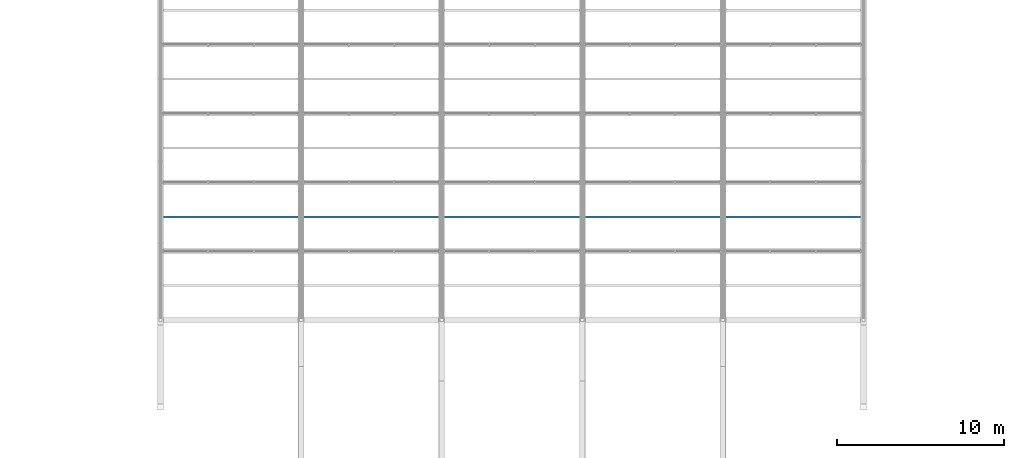
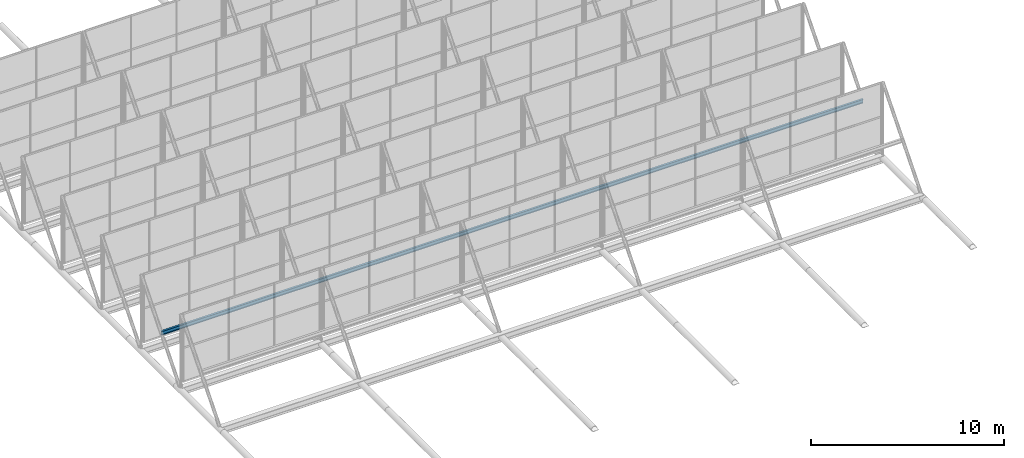
# One storey, part 10 of 77: 1 beam.
"""IFC4 building model written with IfcOpenShell, lengths in metres."""

from ifc_helpers import new_model, si_unit, derived_unit, direction, frame, origin, origin_2d, place, context, subcontext, project, spatial, i_section, extrude, material, material_profile, profile_set, type_object, element, save


model = new_model("IFC4")

# Units and contexts
model_context = context("Model", 3, precision=1e-05, world=origin(), true_north=direction((0.0, 1.0)))
body_context = subcontext(model_context, "Body", "Model", "MODEL_VIEW")
ifc_project = project(units=[si_unit("LENGTHUNIT", "METRE"), si_unit("AREAUNIT", "SQUARE_METRE"), si_unit("VOLUMEUNIT", "CUBIC_METRE"), si_unit("PLANEANGLEUNIT", "RADIAN"), si_unit("MASSUNIT", "GRAM", prefix="KILO"), derived_unit("THERMALTRANSMITTANCEUNIT", [(si_unit("MASSUNIT", "GRAM", prefix="KILO"), 1), (si_unit("TIMEUNIT", "SECOND"), -3), (si_unit("THERMODYNAMICTEMPERATUREUNIT", "KELVIN"), -1)])], contexts=[model_context])

# Site, building, storey
site_placement = place(None, origin())
site = spatial("IfcSite", under=ifc_project, at=site_placement, CompositionType="ELEMENT")
building_placement = place(site_placement, origin())
building = spatial("IfcBuilding", under=site, at=building_placement, Name="Kharveza Railside Sports Centre", CompositionType="ELEMENT")
storey_placement = place(building_placement, frame((0.0, 0.0, 17.10009765625)))
storey = spatial("IfcBuildingStorey", under=building, at=storey_placement, Name="L04", CompositionType="ELEMENT", Elevation=17.10009765625)

# Beam
ifc_material = material(Name="Steel S275JR", Category="steel")
ifc_material_profile = material_profile(ifc_material, i_section(OverallWidth=0.1201171875, OverallDepth=0.239990234375, WebThickness=0.006103515625, FlangeThickness=0.009765625, FilletRadius=0.014892578125, at=origin_2d()), Name="IPE 240")
ifc_profile_set = profile_set([ifc_material_profile], Name="Steel S275JR")
beam_type = type_object("IfcBeamType", Name="BM-J01", PredefinedType="JOIST", material=ifc_profile_set)
beam_placement = place(storey_placement, frame((33.60009765625, 42.17138671875, 1.31982421875), z_axis=(1.0, 0.0, 0.0), x_axis=(0.0, 1.0, 0.0)))
element("IfcBeam", 1, at=beam_placement, inside=storey, type_object=beam_type, Name="BM-V1SAW-PUR-2", PredefinedType="JOIST", context=body_context, shape_type="SweptSolid", body=[
    extrude(i_section(OverallWidth=0.1201171875, OverallDepth=0.239990234375, WebThickness=0.006103515625, FlangeThickness=0.009765625, FilletRadius=0.014892578125, at=origin_2d()), origin(), (0.0, 0.0, 1.0), 42.0),
])

save(model, "model.ifc")
